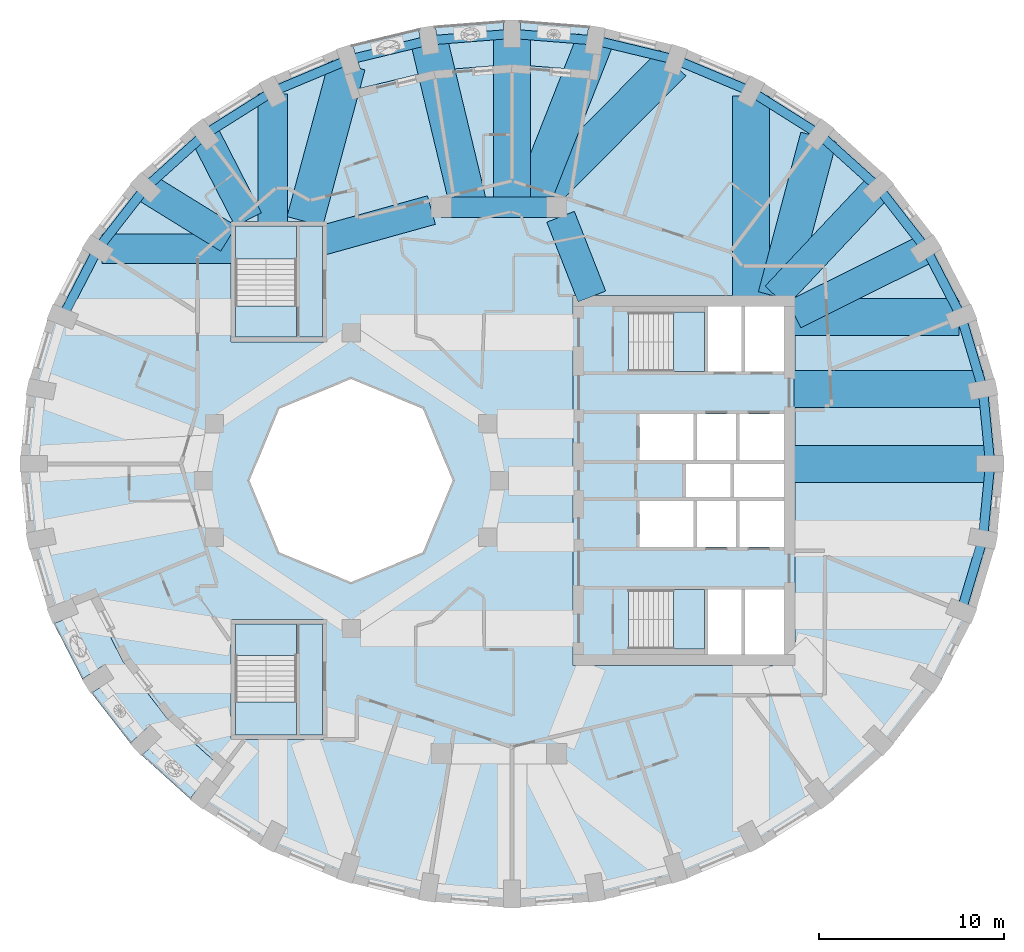
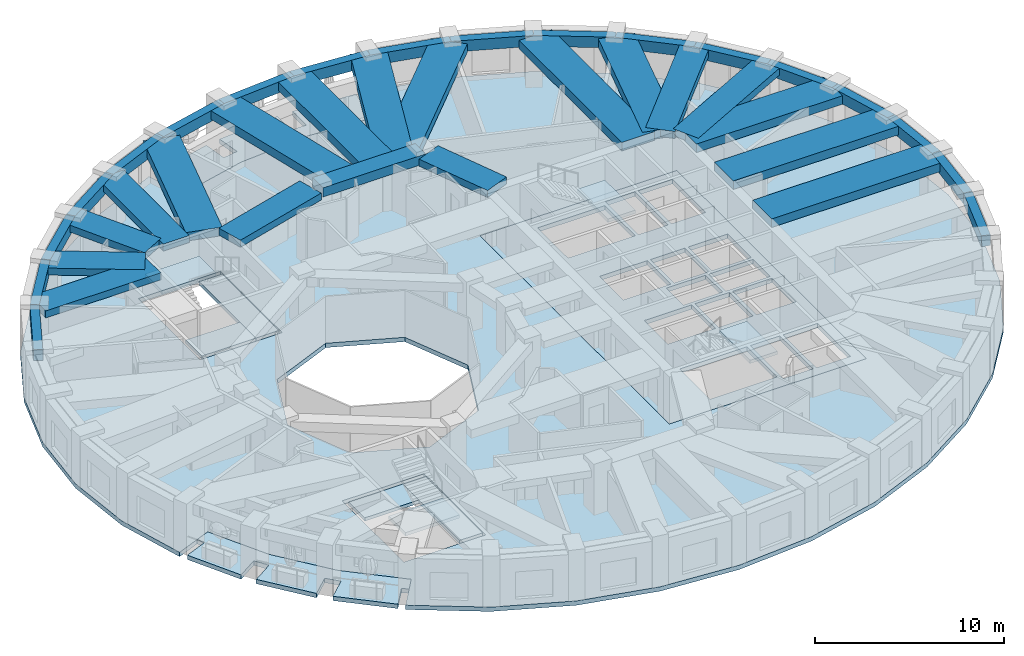
# One storey, part 2 of 12: 37 beams, 12 slabs, 4 elements without a shape of their own.
"""IFC4 building model written with IfcOpenShell, lengths in metres."""

from ifc_helpers import new_model, si_unit, direction, frame, origin, origin_2d, place, context, subcontext, project, spatial, polyline, rectangle, outline, extrude, material, layer, layer_set, material_profile, profile_set, type_object, element, aggregate, save


model = new_model("IFC4")

# Units and contexts
model_context = context("Model", 3, precision=1e-05, world=origin(), true_north=direction((0.0, 1.0)))
body_context = subcontext(model_context, "Body", "Model", "MODEL_VIEW")
ifc_project = project(units=[si_unit("LENGTHUNIT", "METRE"), si_unit("AREAUNIT", "SQUARE_METRE"), si_unit("VOLUMEUNIT", "CUBIC_METRE"), si_unit("PLANEANGLEUNIT", "RADIAN"), si_unit("MASSUNIT", "GRAM", prefix="KILO")], contexts=[model_context])

# Site, building, storey
site_placement = place(None, origin())
site = spatial("IfcSite", under=ifc_project, at=site_placement, CompositionType="ELEMENT")
building_placement = place(site_placement, origin())
building = spatial("IfcBuilding", under=site, at=building_placement, Name="Taillehof Tower", CompositionType="ELEMENT")
storey_placement = place(building_placement, frame((0.0, 0.0, 218.89990234375)))
storey = spatial("IfcBuildingStorey", under=building, at=storey_placement, Name="L62", CompositionType="ELEMENT", Elevation=218.89990234375)

# Beams
ifc_material_1 = material(Name="Concrete C50/60", Category="concrete")
ifc_material_profile_1 = material_profile(ifc_material_1, rectangle(XDim=1.10009765625, YDim=0.60009765625, at=origin_2d()), Name="RC 1100x600")
ifc_profile_set_1 = profile_set([ifc_material_profile_1], Name="Concrete C50/60")
beam_type_1 = type_object("IfcBeamType", Name="Mid-ring beam C50/60 1100x600", PredefinedType="BEAM", material=ifc_profile_set_1)
beam_1_placement = place(storey_placement, frame((3.125732421875, 14.772216796875, 2.72021484375), z_axis=(-1.0, 0.0, 0.0), x_axis=(0.0, -1.0, 0.0)))
element("IfcBeam", 1, at=beam_1_placement, inside=storey, type_object=beam_type_1, Name="Mid-ring beam MB01", PredefinedType="BEAM", context=body_context, shape_type="SweptSolid", body=[
    extrude(rectangle(XDim=1.10009765625, YDim=0.60009765625, at=origin_2d()), origin(), (0.0, 0.0, 1.0), 6.25146484375),
])
ifc_material_2 = material(Name="Concrete C50/60", Category="concrete")
ifc_material_profile_2 = material_profile(ifc_material_2, rectangle(XDim=1.60009765625, YDim=0.449951171875, at=origin_2d()), Name="RC 1600x450")
ifc_profile_set_2 = profile_set([ifc_material_profile_2], Name="Concrete C50/60")
beam_type_2 = type_object("IfcBeamType", Name="Radial band beam C50/60 1600x450", PredefinedType="BEAM", material=ifc_profile_set_2)
beam_2_placement = place(storey_placement, frame((23.086669921875, 12.52490234375, 2.795166015625), z_axis=(-0.895357082848, -0.445348957778, 0.0), x_axis=(0.445348957778, -0.895357082848, 0.0)))
element("IfcBeam", 2, at=beam_2_placement, inside=storey, type_object=beam_type_2, Name="Radial band beam RB04", PredefinedType="BEAM", context=body_context, shape_type="SweptSolid", body=[
    extrude(rectangle(XDim=1.60009765625, YDim=0.449951171875, at=origin_2d()), origin(), (0.0, 0.0, 1.0), 7.96484375),
])
beam_3_placement = place(storey_placement, frame((20.502197265625, 15.8447265625, 2.795166015625), z_axis=(-0.685451470964, -0.728118315217, 0.0), x_axis=(0.728118315217, -0.685451470964, 0.0)))
element("IfcBeam", 3, at=beam_3_placement, inside=storey, type_object=beam_type_2, Name="Radial band beam RB05", PredefinedType="BEAM", context=body_context, shape_type="SweptSolid", body=[
    extrude(rectangle(XDim=1.60009765625, YDim=0.449951171875, at=origin_2d()), origin(), (0.0, 0.0, 1.0), 8.07373046875),
])
beam_4_placement = place(storey_placement, frame((-12.22509765625, 20.9013671875, 2.795166015625), z_axis=(0.0, -1.0, 0.0), x_axis=(1.0, 0.0, 0.0)))
element("IfcBeam", 4, at=beam_4_placement, inside=storey, type_object=beam_type_2, Name="Radial band beam RB13", PredefinedType="BEAM", context=body_context, shape_type="SweptSolid", body=[
    extrude(rectangle(XDim=1.60009765625, YDim=0.449951171875, at=origin_2d()), origin(), (0.0, 0.0, 1.0), 6.951416015625),
])
beam_5_placement = place(storey_placement, frame((-15.916015625, 18.71044921875, 2.795166015625), z_axis=(0.456360793517, -0.889794822496, 0.0), x_axis=(0.889794822496, 0.456360793517, 0.0)))
element("IfcBeam", 5, at=beam_5_placement, inside=storey, type_object=beam_type_2, Name="Radial band beam RB14", PredefinedType="BEAM", context=body_context, shape_type="SweptSolid", body=[
    extrude(rectangle(XDim=1.60009765625, YDim=0.449951171875, at=origin_2d()), origin(), (0.0, 0.0, 1.0), 5.16455078125),
])
beam_6_placement = place(storey_placement, frame((-19.102294921875, 15.8447265625, 2.795166015625), z_axis=(0.850616081395, -0.525787297366, 0.0), x_axis=(0.525787297366, 0.850616081395, 0.0)))
element("IfcBeam", 6, at=beam_6_placement, inside=storey, type_object=beam_type_2, Name="Radial band beam RB15", PredefinedType="BEAM", context=body_context, shape_type="SweptSolid", body=[
    extrude(rectangle(XDim=1.60009765625, YDim=0.449951171875, at=origin_2d()), origin(), (0.0, 0.0, 1.0), 5.260498046875),
])
beam_7_placement = place(storey_placement, frame((-21.47021484375, 12.52490234375, 2.795166015625), z_axis=(1.0, 0.0, 0.0), x_axis=(0.0, 1.0, 0.0)))
element("IfcBeam", 7, at=beam_7_placement, inside=storey, type_object=beam_type_2, Name="Radial band beam RB16", PredefinedType="BEAM", context=body_context, shape_type="SweptSolid", body=[
    extrude(rectangle(XDim=1.60009765625, YDim=0.449951171875, at=origin_2d()), origin(), (0.0, 0.0, 1.0), 7.020263671875),
])
beam_8_placement = place(storey_placement, frame((3.32666015625, 14.26025390625, 2.795166015625), z_axis=(0.365588707223, -0.930776502255, 0.0), x_axis=(0.930776502255, 0.365588707223, 0.0)))
element("IfcBeam", 8, at=beam_8_placement, inside=storey, type_object=beam_type_2, Name="Inner band beam IB205", PredefinedType="BEAM", context=body_context, shape_type="SweptSolid", body=[
    extrude(rectangle(XDim=1.60009765625, YDim=0.449951171875, at=origin_2d()), origin(), (0.0, 0.0, 1.0), 4.627197265625),
])
beam_9_placement = place(storey_placement, frame((-3.655517578125, 14.624755859375, 2.795166015625), z_axis=(-0.963459369536, -0.267854518821, 0.0), x_axis=(0.267854518821, -0.963459369536, 0.0)))
element("IfcBeam", 9, at=beam_9_placement, inside=storey, type_object=beam_type_2, Name="Inner band beam IB206", PredefinedType="BEAM", context=body_context, shape_type="SweptSolid", body=[
    extrude(rectangle(XDim=1.60009765625, YDim=0.449951171875, at=origin_2d()), origin(), (0.0, 0.0, 1.0), 6.096923828125),
])
ifc_material_3 = material(Name="Concrete C50/60", Category="concrete")
ifc_material_profile_3 = material_profile(ifc_material_3, rectangle(XDim=2.0, YDim=0.550048828125, at=origin_2d()), Name="RC 2000x550")
ifc_profile_set_3 = profile_set([ifc_material_profile_3], Name="Concrete C50/60")
beam_type_3 = type_object("IfcBeamType", Name="Radial band beam C50/60 2000x550", PredefinedType="BEAM", material=ifc_profile_set_3)
beam_10_placement = place(storey_placement, frame((26.550048828125, 0.89990234375, 2.7451171875), z_axis=(-1.0, 0.0, 0.0), x_axis=(0.0, -1.0, 0.0)))
element("IfcBeam", 10, at=beam_10_placement, inside=storey, type_object=beam_type_3, Name="Radial band beam RB01", PredefinedType="BEAM", context=body_context, shape_type="SweptSolid", body=[
    extrude(rectangle(XDim=2.0, YDim=0.550048828125, at=origin_2d()), origin(), (0.0, 0.0, 1.0), 10.60009765625),
])
beam_11_placement = place(storey_placement, frame((26.1572265625, 4.937255859375, 2.7451171875), z_axis=(-1.0, 0.0, 0.0), x_axis=(0.0, -1.0, 0.0)))
element("IfcBeam", 11, at=beam_11_placement, inside=storey, type_object=beam_type_3, Name="Radial band beam RB02", PredefinedType="BEAM", context=body_context, shape_type="SweptSolid", body=[
    extrude(rectangle(XDim=2.0, YDim=0.550048828125, at=origin_2d()), origin(), (0.0, 0.0, 1.0), 10.207275390625),
])
beam_12_placement = place(storey_placement, frame((24.856201171875, 8.85205078125, 2.7451171875), z_axis=(-1.0, 0.0, 0.0), x_axis=(0.0, -1.0, 0.0)))
element("IfcBeam", 12, at=beam_12_placement, inside=storey, type_object=beam_type_3, Name="Radial band beam RB03", PredefinedType="BEAM", context=body_context, shape_type="SweptSolid", body=[
    extrude(rectangle(XDim=2.0, YDim=0.550048828125, at=origin_2d()), origin(), (0.0, 0.0, 1.0), 8.90625),
])
beam_13_placement = place(storey_placement, frame((17.28076171875, 18.577880859375, 2.7451171875), z_axis=(-0.256969711091, -0.966419457369, 0.0), x_axis=(0.966419457369, -0.256969711091, 0.0)))
element("IfcBeam", 13, at=beam_13_placement, inside=storey, type_object=beam_type_3, Name="Radial band beam RB06", PredefinedType="BEAM", context=body_context, shape_type="SweptSolid", body=[
    extrude(rectangle(XDim=2.0, YDim=0.550048828125, at=origin_2d()), origin(), (0.0, 0.0, 1.0), 8.926025390625),
])
beam_14_placement = place(storey_placement, frame((13.625, 20.797607421875, 2.7451171875), z_axis=(0.0, -1.0, 0.0), x_axis=(1.0, 0.0, 0.0)))
element("IfcBeam", 14, at=beam_14_placement, inside=storey, type_object=beam_type_3, Name="Radial band beam RB07", PredefinedType="BEAM", context=body_context, shape_type="SweptSolid", body=[
    extrude(rectangle(XDim=2.0, YDim=0.550048828125, at=origin_2d()), origin(), (0.0, 0.0, 1.0), 10.84765625),
])
beam_15_placement = place(storey_placement, frame((9.384765625, 22.590087890625, 2.7451171875), z_axis=(-0.704433609475, -0.709769885133, 0.0), x_axis=(0.709769885133, -0.704433609475, 0.0)))
element("IfcBeam", 15, at=beam_15_placement, inside=storey, type_object=beam_type_3, Name="Radial band beam RB08", PredefinedType="BEAM", context=body_context, shape_type="SweptSolid", body=[
    extrude(rectangle(XDim=2.0, YDim=0.550048828125, at=origin_2d()), origin(), (0.0, 0.0, 1.0), 10.79736328125),
])
beam_16_placement = place(storey_placement, frame((5.188720703125, 23.796875, 2.7451171875), z_axis=(-0.367222105753, -0.930133283485, 0.0), x_axis=(0.930133283485, -0.367222105753, 0.0)))
element("IfcBeam", 16, at=beam_16_placement, inside=storey, type_object=beam_type_3, Name="Radial band beam RB09", PredefinedType="BEAM", context=body_context, shape_type="SweptSolid", body=[
    extrude(rectangle(XDim=2.0, YDim=0.550048828125, at=origin_2d()), origin(), (0.0, 0.0, 1.0), 9.70263671875),
])
beam_17_placement = place(storey_placement, frame((0.699951171875, 24.14990234375, 2.7451171875), z_axis=(0.0, -1.0, 0.0), x_axis=(1.0, 0.0, 0.0)))
element("IfcBeam", 17, at=beam_17_placement, inside=storey, type_object=beam_type_3, Name="Radial band beam RB10", PredefinedType="BEAM", context=body_context, shape_type="SweptSolid", body=[
    extrude(rectangle(XDim=2.0, YDim=0.550048828125, at=origin_2d()), origin(), (0.0, 0.0, 1.0), 9.377685546875),
])
beam_18_placement = place(storey_placement, frame((-3.788818359375, 23.796875, 2.7451171875), z_axis=(0.233084395558, -0.972456510363, 0.0), x_axis=(0.972456510363, 0.233084395558, 0.0)))
element("IfcBeam", 18, at=beam_18_placement, inside=storey, type_object=beam_type_3, Name="Radial band beam RB11", PredefinedType="BEAM", context=body_context, shape_type="SweptSolid", body=[
    extrude(rectangle(XDim=2.0, YDim=0.550048828125, at=origin_2d()), origin(), (0.0, 0.0, 1.0), 9.2802734375),
])
beam_19_placement = place(storey_placement, frame((-8.2177734375, 22.464111328125, 2.7451171875), z_axis=(-0.260346436551, -0.965515268121, 0.0), x_axis=(0.965515268121, -0.260346436551, 0.0)))
element("IfcBeam", 19, at=beam_19_placement, inside=storey, type_object=beam_type_3, Name="Radial band beam RB12", PredefinedType="BEAM", context=body_context, shape_type="SweptSolid", body=[
    extrude(rectangle(XDim=2.0, YDim=0.550048828125, at=origin_2d()), origin(), (0.0, 0.0, 1.0), 8.755859375),
])
ifc_material_4 = material(Name="Concrete C50/60", Category="concrete")
ifc_material_profile_4 = material_profile(ifc_material_4, rectangle(XDim=0.5, YDim=0.699951171875, at=origin_2d()), Name="RC 500x700")
ifc_profile_set_4 = profile_set([ifc_material_profile_4], Name="Concrete C50/60")
beam_type_4 = type_object("IfcBeamType", Name="Spandrel beam C50/60 500x700", PredefinedType="SPANDREL", material=ifc_profile_set_4)
beam_20_placement = place(storey_placement, frame((26.550048828125, 0.89990234375, 2.670166015625), z_axis=(-0.096839674059, 0.995299993735, 0.0), x_axis=(-0.995299993735, -0.096839674059, 0.0)))
element("IfcBeam", 20, at=beam_20_placement, inside=storey, type_object=beam_type_4, Name="Spandrel beam SB01", PredefinedType="SPANDREL", context=body_context, shape_type="SweptSolid", body=[
    extrude(rectangle(XDim=0.5, YDim=0.699951171875, at=origin_2d()), origin(), (0.0, 0.0, 1.0), 4.056396484375),
])
beam_21_placement = place(storey_placement, frame((26.1572265625, 4.937255859375, 2.670166015625), z_axis=(-0.285510458946, 0.9583755933, 0.0), x_axis=(-0.9583755933, -0.285510458946, 0.0)))
element("IfcBeam", 21, at=beam_21_placement, inside=storey, type_object=beam_type_4, Name="Spandrel beam SB02", PredefinedType="SPANDREL", context=body_context, shape_type="SweptSolid", body=[
    extrude(rectangle(XDim=0.5, YDim=0.699951171875, at=origin_2d()), origin(), (0.0, 0.0, 1.0), 4.084716796875),
])
beam_22_placement = place(storey_placement, frame((24.990966796875, 8.85205078125, 2.670166015625), z_axis=(-0.460289604274, 0.887768821371, 0.0), x_axis=(-0.887768821371, -0.460289604274, 0.0)))
element("IfcBeam", 22, at=beam_22_placement, inside=storey, type_object=beam_type_4, Name="Spandrel beam SB03", PredefinedType="SPANDREL", context=body_context, shape_type="SweptSolid", body=[
    extrude(rectangle(XDim=0.5, YDim=0.699951171875, at=origin_2d()), origin(), (0.0, 0.0, 1.0), 4.13720703125),
])
beam_23_placement = place(storey_placement, frame((23.086669921875, 12.52490234375, 2.670166015625), z_axis=(-0.614294081938, 0.789077170432, 0.0), x_axis=(-0.789077170432, -0.614294081938, 0.0)))
element("IfcBeam", 23, at=beam_23_placement, inside=storey, type_object=beam_type_4, Name="Spandrel beam SB04", PredefinedType="SPANDREL", context=body_context, shape_type="SweptSolid", body=[
    extrude(rectangle(XDim=0.5, YDim=0.699951171875, at=origin_2d()), origin(), (0.0, 0.0, 1.0), 4.207275390625),
])
beam_24_placement = place(storey_placement, frame((20.502197265625, 15.8447265625, 2.670166015625), z_axis=(-0.743492416006, 0.668744366213, 0.0), x_axis=(-0.668744366213, -0.743492416006, 0.0)))
element("IfcBeam", 24, at=beam_24_placement, inside=storey, type_object=beam_type_4, Name="Spandrel beam SB05", PredefinedType="SPANDREL", context=body_context, shape_type="SweptSolid", body=[
    extrude(rectangle(XDim=0.5, YDim=0.699951171875, at=origin_2d()), origin(), (0.0, 0.0, 1.0), 4.28515625),
])
beam_25_placement = place(storey_placement, frame((17.316162109375, 18.71044921875, 2.670166015625), z_axis=(-0.846166475687, 0.532918657417, 0.0), x_axis=(-0.532918657417, -0.846166475687, 0.0)))
element("IfcBeam", 25, at=beam_25_placement, inside=storey, type_object=beam_type_4, Name="Spandrel beam SB06", PredefinedType="SPANDREL", context=body_context, shape_type="SweptSolid", body=[
    extrude(rectangle(XDim=0.5, YDim=0.699951171875, at=origin_2d()), origin(), (0.0, 0.0, 1.0), 4.3623046875),
])
beam_26_placement = place(storey_placement, frame((13.625, 21.03515625, 2.670166015625), z_axis=(-0.92218550199, 0.386747850569, 0.0), x_axis=(-0.386747850569, -0.92218550199, 0.0)))
element("IfcBeam", 26, at=beam_26_placement, inside=storey, type_object=beam_type_4, Name="Spandrel beam SB07", PredefinedType="SPANDREL", context=body_context, shape_type="SweptSolid", body=[
    extrude(rectangle(XDim=0.5, YDim=0.699951171875, at=origin_2d()), origin(), (0.0, 0.0, 1.0), 4.42822265625),
])
beam_27_placement = place(storey_placement, frame((9.541259765625, 22.747802734375, 2.670166015625), z_axis=(-0.972160640613, 0.234315361943, 0.0), x_axis=(-0.234315361943, -0.972160640613, 0.0)))
element("IfcBeam", 27, at=beam_27_placement, inside=storey, type_object=beam_type_4, Name="Spandrel beam SB08", PredefinedType="SPANDREL", context=body_context, shape_type="SweptSolid", body=[
    extrude(rectangle(XDim=0.5, YDim=0.699951171875, at=origin_2d()), origin(), (0.0, 0.0, 1.0), 4.477294921875),
])
for number, where, z_axis, x_axis, name in (
    (28, (5.188720703125, 23.796875, 2.670166015625), (-0.996921613963, 0.078404691275, 0.0), (-0.078404691275, -0.996921613963, 0.0), "Spandrel beam SB09"),
    (29, (0.699951171875, 24.14990234375, 2.670166015625), (-0.996921613963, -0.078404691275, 0.0), (0.078404691275, -0.996921613963, 0.0), "Spandrel beam SB10"),
):
    element("IfcBeam", number, at=place(storey_placement, frame(where, z_axis=z_axis, x_axis=x_axis)), inside=storey, type_object=beam_type_4, Name=name, PredefinedType="SPANDREL", context=body_context, shape_type="SweptSolid", body=[
        extrude(rectangle(XDim=0.5, YDim=0.699951171875, at=origin_2d()), origin(), (0.0, 0.0, 1.0), 4.502685546875),
    ])
beam_28_placement = place(storey_placement, frame((-3.788818359375, 23.796875, 2.670166015625), z_axis=(-0.972157646478, -0.234327784087, 0.0), x_axis=(0.234327784087, -0.972157646478, 0.0)))
element("IfcBeam", 30, at=beam_28_placement, inside=storey, type_object=beam_type_4, Name="Spandrel beam SB11", PredefinedType="SPANDREL", context=body_context, shape_type="SweptSolid", body=[
    extrude(rectangle(XDim=0.5, YDim=0.699951171875, at=origin_2d()), origin(), (0.0, 0.0, 1.0), 4.47705078125),
])
beam_29_placement = place(storey_placement, frame((-8.14111328125, 22.747802734375, 2.670166015625), z_axis=(-0.922193747603, -0.386728188632, 0.0), x_axis=(0.386728188632, -0.922193747603, 0.0)))
element("IfcBeam", 31, at=beam_29_placement, inside=storey, type_object=beam_type_4, Name="Spandrel beam SB12", PredefinedType="SPANDREL", context=body_context, shape_type="SweptSolid", body=[
    extrude(rectangle(XDim=0.5, YDim=0.699951171875, at=origin_2d()), origin(), (0.0, 0.0, 1.0), 4.428466796875),
])
beam_30_placement = place(storey_placement, frame((-12.22509765625, 21.03515625, 2.670166015625), z_axis=(-0.846150579775, -0.532943896059, 0.0), x_axis=(0.532943896059, -0.846150579775, 0.0)))
element("IfcBeam", 32, at=beam_30_placement, inside=storey, type_object=beam_type_4, Name="Spandrel beam SB13", PredefinedType="SPANDREL", context=body_context, shape_type="SweptSolid", body=[
    extrude(rectangle(XDim=0.5, YDim=0.699951171875, at=origin_2d()), origin(), (0.0, 0.0, 1.0), 4.362060546875),
])
beam_31_placement = place(storey_placement, frame((-15.916015625, 18.71044921875, 2.670166015625), z_axis=(-0.743517893617, -0.668716039789, 0.0), x_axis=(0.668716039789, -0.743517893617, 0.0)))
element("IfcBeam", 33, at=beam_31_placement, inside=storey, type_object=beam_type_4, Name="Spandrel beam SB14", PredefinedType="SPANDREL", context=body_context, shape_type="SweptSolid", body=[
    extrude(rectangle(XDim=0.5, YDim=0.699951171875, at=origin_2d()), origin(), (0.0, 0.0, 1.0), 4.285400390625),
])
beam_32_placement = place(storey_placement, frame((-19.102294921875, 15.8447265625, 2.670166015625), z_axis=(-0.614294081938, -0.789077170432, 0.0), x_axis=(0.789077170432, -0.614294081938, 0.0)))
element("IfcBeam", 34, at=beam_32_placement, inside=storey, type_object=beam_type_4, Name="Spandrel beam SB15", PredefinedType="SPANDREL", context=body_context, shape_type="SweptSolid", body=[
    extrude(rectangle(XDim=0.5, YDim=0.699951171875, at=origin_2d()), origin(), (0.0, 0.0, 1.0), 4.207275390625),
])
beam_33_placement = place(storey_placement, frame((-21.686767578125, 12.52490234375, 2.670166015625), z_axis=(-0.460289604274, -0.887768821371, 0.0), x_axis=(0.887768821371, -0.460289604274, 0.0)))
element("IfcBeam", 35, at=beam_33_placement, inside=storey, type_object=beam_type_4, Name="Spandrel beam SB16", PredefinedType="SPANDREL", context=body_context, shape_type="SweptSolid", body=[
    extrude(rectangle(XDim=0.5, YDim=0.699951171875, at=origin_2d()), origin(), (0.0, 0.0, 1.0), 4.13720703125),
])
beam_34_placement = place(storey_placement, frame((24.990966796875, -7.052001953125, 2.670166015625), z_axis=(0.285510458946, 0.9583755933, 0.0), x_axis=(-0.9583755933, 0.285510458946, 0.0)))
element("IfcBeam", 36, at=beam_34_placement, inside=storey, type_object=beam_type_4, Name="Spandrel beam SB35", PredefinedType="SPANDREL", context=body_context, shape_type="SweptSolid", body=[
    extrude(rectangle(XDim=0.5, YDim=0.699951171875, at=origin_2d()), origin(), (0.0, 0.0, 1.0), 4.084716796875),
])
beam_35_placement = place(storey_placement, frame((26.1572265625, -3.13720703125, 2.670166015625), z_axis=(0.096845475428, 0.995299429262, 0.0), x_axis=(-0.995299429262, 0.096845475428, 0.0)))
element("IfcBeam", 37, at=beam_35_placement, inside=storey, type_object=beam_type_4, Name="Spandrel beam SB36", PredefinedType="SPANDREL", context=body_context, shape_type="SweptSolid", body=[
    extrude(rectangle(XDim=0.5, YDim=0.699951171875, at=origin_2d()), origin(), (0.0, 0.0, 1.0), 4.05615234375),
])

# Slabs
ifc_material_5 = material(Name="Concrete C40/50", Category="concrete")
ifc_layer_1 = layer(ifc_material_5, 0.280029296875)
ifc_layer_set_1 = layer_set([ifc_layer_1], Name="Balcony slab 280")
slab_type_1 = type_object("IfcSlabType", Name="Balcony slab 280", PredefinedType="USERDEFINED", material=ifc_layer_set_1)
slab_1_placement = place(storey_placement, frame((0.0, 0.0, -0.27978515625)))
element("IfcSlab", 38, at=slab_1_placement, inside=storey, type_object=slab_type_1, Name="Balcony L62 pocket 2", ObjectType="BALCONY", PredefinedType="USERDEFINED", context=body_context, shape_type="SweptSolid", body=[
    extrude(outline(polyline([(-7.64892578125, 21.17236328125), (-7.929931640625, 22.02783203125), (-7.479736328125, 22.17578125), (-7.935791015625, 23.564208984375), (-4.345458984375, 24.432373046875), (-4.115478515625, 22.9853515625), (-3.2265625, 23.126708984375), (-3.45654296875, 24.572021484375), (0.25, 24.864501953125), (0.25, 23.39990234375), (1.14990234375, 23.39990234375), (1.14990234375, 24.864501953125), (4.8564453125, 24.572021484375), (4.62646484375, 23.126708984375), (5.08349609375, 23.05419921875), (4.94189453125, 22.165283203125), (0.699951171875, 22.5), (-3.5419921875, 22.165283203125), (-7.64892578125, 21.17236328125)])), origin(), (0.0, 0.0, 1.0), 0.27978515625),
])
slab_2_placement = place(storey_placement, frame((0.0, 0.0, -0.27978515625)))
element("IfcSlab", 39, at=slab_2_placement, inside=storey, type_object=slab_type_1, Name="Balcony L62 pocket 6", ObjectType="BALCONY", PredefinedType="USERDEFINED", context=body_context, shape_type="SweptSolid", body=[
    extrude(outline(polyline([(-14.949462890625, -15.571533203125), (-15.493408203125, -16.289794921875), (-15.822021484375, -16.041015625), (-16.70556640625, -17.207763671875), (-19.31298828125, -14.855224609375), (-18.24658203125, -13.863525390625), (-18.859619140625, -13.20458984375), (-19.93017578125, -14.2001953125), (-22.0380859375, -11.484130859375), (-20.8125, -10.69970703125), (-21.297607421875, -9.941650390625), (-22.528076171875, -10.72900390625), (-24.076416015625, -7.73291015625), (-22.72705078125, -7.188720703125), (-22.9052734375, -6.74755859375), (-22.070068359375, -6.41064453125), (-20.314697265625, -9.806396484375), (-17.91943359375, -12.892578125), (-14.949462890625, -15.571533203125)])), origin(), (0.0, 0.0, 1.0), 0.27978515625),
])
ifc_material_6 = material(Name="Concrete C40/50", Category="concrete")
ifc_layer_2 = layer(ifc_material_6, 0.280029296875)
ifc_layer_set_2 = layer_set([ifc_layer_2], Name="Core floor slab C40/50 280")
slab_type_2 = type_object("IfcSlabType", Name="Core floor slab C40/50 280", PredefinedType="FLOOR", material=ifc_layer_set_2)
slab_3_placement = place(storey_placement, frame((0.0, 0.0, -0.27978515625)))
element("IfcSlab", 40, at=slab_3_placement, inside=storey, type_object=slab_type_2, Name="Core floor L62", PredefinedType="FLOOR", context=body_context, shape_type="SweptSolid", body=[
    extrude(outline(polyline([(4.0, -10.0), (4.0, 10.0), (16.0, 10.0), (16.0, -10.0), (4.0, -10.0)]), holes=[polyline([(11.10009765625, -9.10009765625), (11.10009765625, -5.89990234375), (7.00048828125, -5.89990234375), (7.00048828125, -9.10009765625), (11.10009765625, -9.10009765625)]), polyline([(10.5, -3.60009765625), (10.5, -1.10009765625), (7.60009765625, -1.10009765625), (7.60009765625, -3.60009765625), (10.5, -3.60009765625)]), polyline([(12.800048828125, -3.60009765625), (12.800048828125, -1.10009765625), (10.699951171875, -1.10009765625), (10.699951171875, -3.60009765625), (12.800048828125, -3.60009765625)]), polyline([(12.5, -0.89990234375), (12.5, 0.89990234375), (10.10009765625, 0.89990234375), (10.10009765625, -0.89990234375), (12.5, -0.89990234375)]), polyline([(10.5, 1.10009765625), (10.5, 3.60009765625), (7.60009765625, 3.60009765625), (7.60009765625, 1.10009765625), (10.5, 1.10009765625)]), polyline([(12.800048828125, 1.10009765625), (12.800048828125, 3.60009765625), (10.699951171875, 3.60009765625), (10.699951171875, 1.10009765625), (12.800048828125, 1.10009765625)]), polyline([(11.10009765625, 5.89990234375), (11.10009765625, 9.10009765625), (7.00048828125, 9.10009765625), (7.00048828125, 5.89990234375), (11.10009765625, 5.89990234375)]), polyline([(13.10009765625, -5.89990234375), (11.300048828125, -5.89990234375), (11.300048828125, -9.39990234375), (13.10009765625, -9.39990234375), (13.10009765625, -5.89990234375)]), polyline([(15.39990234375, -9.39990234375), (15.39990234375, -5.89990234375), (13.300048828125, -5.89990234375), (13.300048828125, -9.39990234375), (15.39990234375, -9.39990234375)]), polyline([(15.39990234375, -3.60009765625), (15.39990234375, -1.10009765625), (13.0, -1.10009765625), (13.0, -3.60009765625), (15.39990234375, -3.60009765625)]), polyline([(15.39990234375, -0.89990234375), (15.39990234375, 0.89990234375), (12.699951171875, 0.89990234375), (12.699951171875, -0.89990234375), (15.39990234375, -0.89990234375)]), polyline([(15.39990234375, 1.10009765625), (15.39990234375, 3.60009765625), (13.0, 3.60009765625), (13.0, 1.10009765625), (15.39990234375, 1.10009765625)]), polyline([(13.10009765625, 5.89990234375), (13.10009765625, 9.39990234375), (11.300048828125, 9.39990234375), (11.300048828125, 5.89990234375), (13.10009765625, 5.89990234375)]), polyline([(15.39990234375, 5.89990234375), (15.39990234375, 9.39990234375), (13.300048828125, 9.39990234375), (13.300048828125, 5.89990234375), (15.39990234375, 5.89990234375)])]), origin(), (0.0, 0.0, 1.0), 0.27978515625),
])
ifc_material_7 = material(Name="Concrete C40/50", Category="concrete")
ifc_layer_3 = layer(ifc_material_7, 0.280029296875)
ifc_layer_set_3 = layer_set([ifc_layer_3], Name="Floor slab 280")
slab_type_3 = type_object("IfcSlabType", Name="Floor slab 280", PredefinedType="FLOOR", material=ifc_layer_set_3)
slab_4_placement = place(storey_placement, frame((0.0, 0.0, -0.27978515625)))
element("IfcSlab", 41, at=slab_4_placement, inside=storey, type_object=slab_type_3, Name="Floor slab L62", PredefinedType="FLOOR", context=body_context, shape_type="SweptSolid", body=[
    extrude(outline(polyline([(27.300048828125, 0.89990234375), (26.89599609375, 5.067626953125), (25.69580078125, 9.1083984375), (23.736328125, 12.89990234375), (21.076904296875, 16.326904296875), (17.798095703125, 19.28515625), (14.0, 21.6845703125), (9.797607421875, 23.45263671875), (5.319091796875, 24.535400390625), (4.94189453125, 22.165283203125), (0.699951171875, 22.5), (-3.5419921875, 22.165283203125), (-7.64892578125, 21.17236328125), (-8.397705078125, 23.45263671875), (-12.60009765625, 21.6845703125), (-16.398193359375, 19.28515625), (-19.6767578125, 16.326904296875), (-22.336181640625, 12.89990234375), (-24.2958984375, 9.1083984375), (-25.495849609375, 5.067626953125), (-25.89990234375, 0.89990234375), (-25.495849609375, -3.267578125), (-24.2958984375, -7.30859375), (-22.070068359375, -6.41064453125), (-20.314697265625, -9.806396484375), (-17.919189453125, -12.892578125), (-14.949462890625, -15.571533203125), (-16.398193359375, -17.485107421875), (-12.60009765625, -19.884521484375), (-8.397705078125, -21.652587890625), (-3.9189453125, -22.7353515625), (0.699951171875, -23.10009765625), (5.319091796875, -22.7353515625), (9.797607421875, -21.652587890625), (14.0, -19.884521484375), (17.798095703125, -17.485107421875), (21.076904296875, -14.52685546875), (23.736328125, -11.10009765625), (25.69580078125, -7.30859375), (26.89599609375, -3.267578125), (27.300048828125, 0.89990234375)]), holes=[polyline([(-14.5, -7.5), (-9.5, -7.5), (-9.5, -14.0), (-14.5, -14.0), (-14.5, -7.5)]), polyline([(-8.0, -5.5), (-11.88916015625, -3.88916015625), (-13.5, 0.0), (-11.88916015625, 3.88916015625), (-8.0, 5.5), (-4.11083984375, 3.88916015625), (-2.5, 0.0), (-4.11083984375, -3.88916015625), (-8.0, -5.5)]), polyline([(16.0, 10.0), (16.0, -10.0), (4.0, -10.0), (4.0, 10.0), (16.0, 10.0)]), polyline([(-14.5, 14.0), (-9.5, 14.0), (-9.5, 7.5), (-14.5, 7.5), (-14.5, 14.0)])]), origin(), (0.0, 0.0, 1.0), 0.27978515625),
])

# Stair, slab
ifc_material_8 = material(Name="Concrete C40/50", Category="concrete")
stair_type = type_object("IfcStairType", Name="Exit stair half-turn", PredefinedType="HALF_TURN_STAIR", material=ifc_material_8)
stair_1_placement = place(storey_placement, origin())
stair_1 = element("IfcStair", 42, at=stair_1_placement, inside=storey, type_object=stair_type, Name="Exit stair S1", PredefinedType="HALF_TURN_STAIR")
ifc_material_9 = material(Name="Concrete C40/50", Category="concrete")
ifc_layer_4 = layer(ifc_material_9, 0.2099609375)
ifc_layer_set_4 = layer_set([ifc_layer_4], Name="Stair landing C40/50 210")
slab_type_4 = type_object("IfcSlabType", Name="Stair landing C40/50 210", PredefinedType="LANDING", material=ifc_layer_set_4)
slab_5_placement = place(storey_placement, frame((0.0, 0.0, 1.440185546875)))
slab_5 = element("IfcSlab", 43, at=slab_5_placement, type_object=slab_type_4, Name="S1 landing 1", PredefinedType="LANDING", context=body_context, shape_type="SweptSolid", body=[
    extrude(outline(polyline([(9.429931640625, 5.89990234375), (11.10009765625, 5.89990234375), (11.10009765625, 9.10009765625), (9.429931640625, 9.10009765625), (9.429931640625, 5.89990234375)])), origin(), (0.0, 0.0, 1.0), 0.2099609375),
])
aggregate(stair_1, [slab_5])

stair_2_placement = place(storey_placement, origin())
stair_2 = element("IfcStair", 44, at=stair_2_placement, inside=storey, type_object=stair_type, Name="Exit stair S2", PredefinedType="HALF_TURN_STAIR")
slab_6_placement = place(storey_placement, frame((0.0, 0.0, 1.440185546875)))
slab_6 = element("IfcSlab", 45, at=slab_6_placement, type_object=slab_type_4, Name="S2 landing 1", PredefinedType="LANDING", context=body_context, shape_type="SweptSolid", body=[
    extrude(outline(polyline([(9.429931640625, -5.89990234375), (11.10009765625, -5.89990234375), (11.10009765625, -9.10009765625), (9.429931640625, -9.10009765625), (9.429931640625, -5.89990234375)])), origin(), (0.0, 0.0, 1.0), 0.2099609375),
])
aggregate(stair_2, [slab_6])

stair_3_placement = place(storey_placement, origin())
stair_3 = element("IfcStair", 46, at=stair_3_placement, inside=storey, type_object=stair_type, Name="Exit stair S3", PredefinedType="HALF_TURN_STAIR")
slab_7_placement = place(storey_placement, frame((0.0, 0.0, 1.440185546875)))
slab_7 = element("IfcSlab", 47, at=slab_7_placement, type_object=slab_type_4, Name="S3 landing 1", PredefinedType="LANDING", context=body_context, shape_type="SweptSolid", body=[
    extrude(outline(polyline([(-14.25, 11.969970703125), (-14.25, 13.75), (-10.949951171875, 13.75), (-10.949951171875, 11.969970703125), (-14.25, 11.969970703125)])), origin(), (0.0, 0.0, 1.0), 0.2099609375),
])
aggregate(stair_3, [slab_7])

stair_4_placement = place(storey_placement, origin())
stair_4 = element("IfcStair", 48, at=stair_4_placement, inside=storey, type_object=stair_type, Name="Exit stair S4", PredefinedType="HALF_TURN_STAIR")
slab_8_placement = place(storey_placement, frame((0.0, 0.0, 1.440185546875)))
slab_8 = element("IfcSlab", 49, at=slab_8_placement, type_object=slab_type_4, Name="S4 landing 1", PredefinedType="LANDING", context=body_context, shape_type="SweptSolid", body=[
    extrude(outline(polyline([(-14.25, -11.969970703125), (-14.25, -13.75), (-10.949951171875, -13.75), (-10.949951171875, -11.969970703125), (-14.25, -11.969970703125)])), origin(), (0.0, 0.0, 1.0), 0.2099609375),
])
aggregate(stair_4, [slab_8])

# Slabs
slab_9_placement = place(storey_placement, frame((0.0, 0.0, -0.2099609375)))
element("IfcSlab", 50, at=slab_9_placement, inside=storey, type_object=slab_type_4, Name="Stair S3 floor landing", PredefinedType="LANDING", context=body_context, shape_type="SweptSolid", body=[
    extrude(outline(polyline([(-14.25, 7.75), (-14.25, 9.449951171875), (-10.949951171875, 9.449951171875), (-10.949951171875, 7.75), (-14.25, 7.75)])), origin(), (0.0, 0.0, 1.0), 0.2099609375),
])
slab_10_placement = place(storey_placement, frame((0.0, 0.0, -0.2099609375)))
element("IfcSlab", 51, at=slab_10_placement, inside=storey, type_object=slab_type_4, Name="Stair lobby S3 floor", PredefinedType="LANDING", context=body_context, shape_type="SweptSolid", body=[
    extrude(outline(polyline([(-10.949951171875, 7.75), (-9.550048828125, 7.75), (-9.550048828125, 13.75), (-10.949951171875, 13.75), (-10.949951171875, 7.75)])), origin(), (0.0, 0.0, 1.0), 0.2099609375),
])
slab_11_placement = place(storey_placement, frame((0.0, 0.0, -0.2099609375)))
element("IfcSlab", 52, at=slab_11_placement, inside=storey, type_object=slab_type_4, Name="Stair S4 floor landing", PredefinedType="LANDING", context=body_context, shape_type="SweptSolid", body=[
    extrude(outline(polyline([(-14.25, -7.75), (-14.25, -9.449951171875), (-10.949951171875, -9.449951171875), (-10.949951171875, -7.75), (-14.25, -7.75)])), origin(), (0.0, 0.0, 1.0), 0.2099609375),
])
slab_12_placement = place(storey_placement, frame((0.0, 0.0, -0.2099609375)))
element("IfcSlab", 53, at=slab_12_placement, inside=storey, type_object=slab_type_4, Name="Stair lobby S4 floor", PredefinedType="LANDING", context=body_context, shape_type="SweptSolid", body=[
    extrude(outline(polyline([(-10.949951171875, -13.75), (-9.550048828125, -13.75), (-9.550048828125, -7.75), (-10.949951171875, -7.75), (-10.949951171875, -13.75)])), origin(), (0.0, 0.0, 1.0), 0.2099609375),
])

save(model, "model.ifc")
